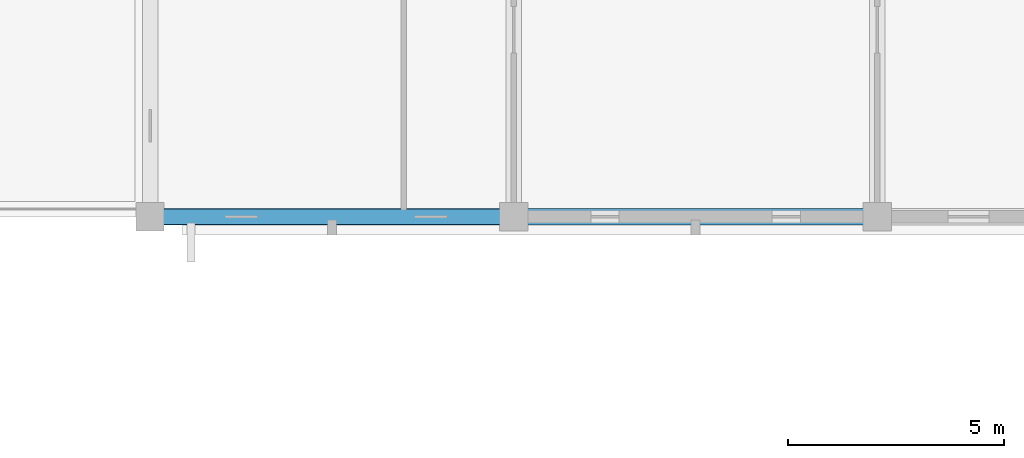
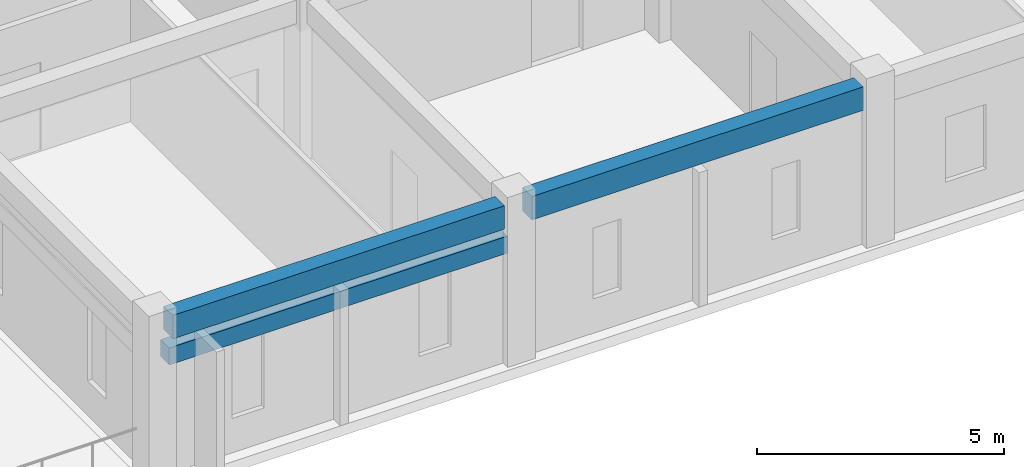
# One storey, part 34 of 90: 3 beams.
"""IFC4 building model written with IfcOpenShell, lengths in metres."""

from ifc_helpers import new_model, si_unit, direction, frame, origin, origin_2d, place, context, subcontext, project, spatial, rectangle, extrude, material, material_profile, profile_set, type_object, element, save


model = new_model("IFC4")

# Units and contexts
model_context = context("Model", 3, precision=1e-05, world=origin(), true_north=direction((0.0, 1.0)))
body_context = subcontext(model_context, "Body", "Model", "MODEL_VIEW")
ifc_project = project(units=[si_unit("LENGTHUNIT", "METRE"), si_unit("AREAUNIT", "SQUARE_METRE"), si_unit("VOLUMEUNIT", "CUBIC_METRE"), si_unit("PLANEANGLEUNIT", "RADIAN"), si_unit("MASSUNIT", "GRAM", prefix="KILO")], contexts=[model_context])

# Site, building, storey
site_placement = place(None, origin())
site = spatial("IfcSite", under=ifc_project, at=site_placement, CompositionType="ELEMENT")
building_placement = place(site_placement, origin())
building = spatial("IfcBuilding", under=site, at=building_placement, Name="Trelvath General Hospital", CompositionType="ELEMENT")
storey_placement = place(building_placement, frame((0.0, 0.0, 20.39990234375)))
storey = spatial("IfcBuildingStorey", under=building, at=storey_placement, Name="L05", CompositionType="ELEMENT", Elevation=20.39990234375)

# Beams
ifc_material_1 = material(Name="Concrete C35/45", Category="concrete")
ifc_material_profile_1 = material_profile(ifc_material_1, rectangle(XDim=0.3798828125, YDim=0.580078125, at=origin_2d()), Name="RCB380x580")
ifc_profile_set_1 = profile_set([ifc_material_profile_1], Name="Concrete C35/45")
beam_type_1 = type_object("IfcBeamType", Name="Beam RC380x580", PredefinedType="BEAM", material=ifc_profile_set_1)
for number, where, z_axis, x_axis, name in (
    (1, (33.919921875, 92.39990234375, 3.630126953125), (1.0, 0.0, 0.0), (0.0, 1.0, 0.0), "Grid Beam BX-504L"),
    (2, (42.320068359375, 92.39990234375, 3.630126953125), (1.0, 0.0, 0.0), (0.0, 1.0, 0.0), "Grid Beam BX-505L"),
):
    element("IfcBeam", number, at=place(storey_placement, frame(where, z_axis=z_axis, x_axis=x_axis)), inside=storey, type_object=beam_type_1, Name=name, PredefinedType="BEAM", context=body_context, shape_type="SweptSolid", body=[
        extrude(rectangle(XDim=0.3798828125, YDim=0.580078125, at=origin_2d()), origin(), (0.0, 0.0, 1.0), 7.760009765625),
    ])
ifc_material_2 = material(Name="Precast concrete C40/50", Category="concrete")
ifc_material_profile_2 = material_profile(ifc_material_2, rectangle(XDim=0.35009765625, YDim=0.419921875, at=origin_2d()), Name="PCL350x420")
ifc_profile_set_2 = profile_set([ifc_material_profile_2], Name="Precast concrete C40/50")
beam_type_2 = type_object("IfcBeamType", Name="Lintel PC350x420", PredefinedType="LINTEL", material=ifc_profile_set_2)
beam_placement = place(storey_placement, frame((41.760009765625, 92.39990234375, 2.920166015625), z_axis=(-1.0, 0.0, 0.0), x_axis=(0.0, -1.0, 0.0)))
element("IfcBeam", 3, at=beam_placement, inside=storey, type_object=beam_type_2, Name="Precast Window Brow Lintel L05-497", PredefinedType="LINTEL", context=body_context, shape_type="SweptSolid", body=[
    extrude(rectangle(XDim=0.35009765625, YDim=0.419921875, at=origin_2d()), origin(), (0.0, 0.0, 1.0), 7.919921875),
])

save(model, "model.ifc")
